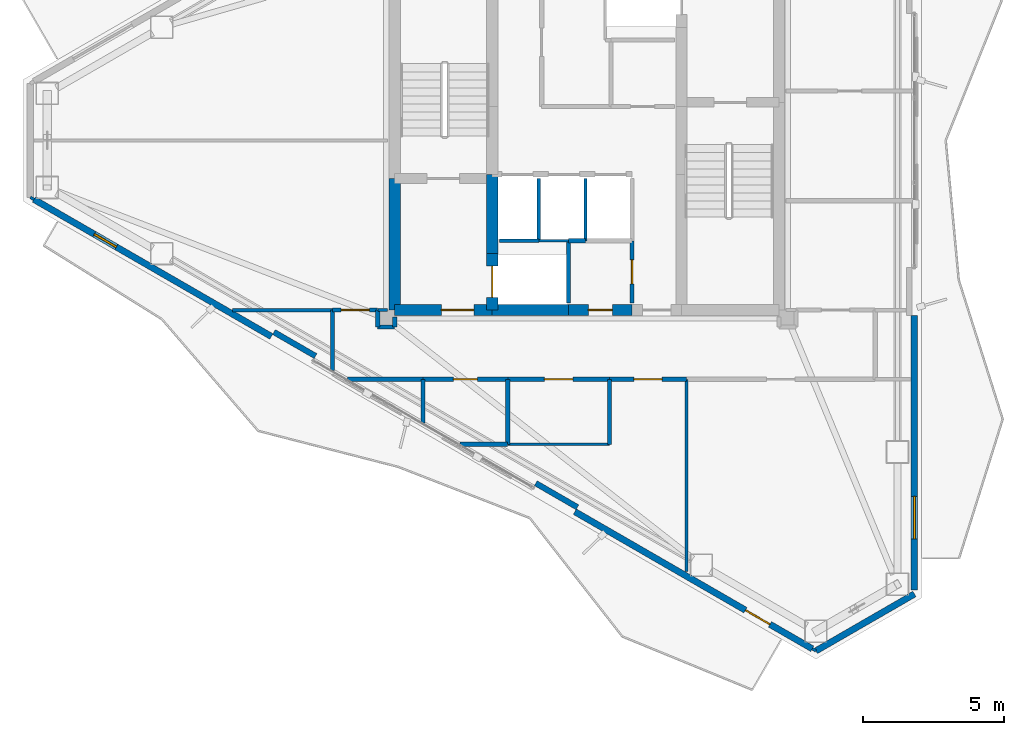
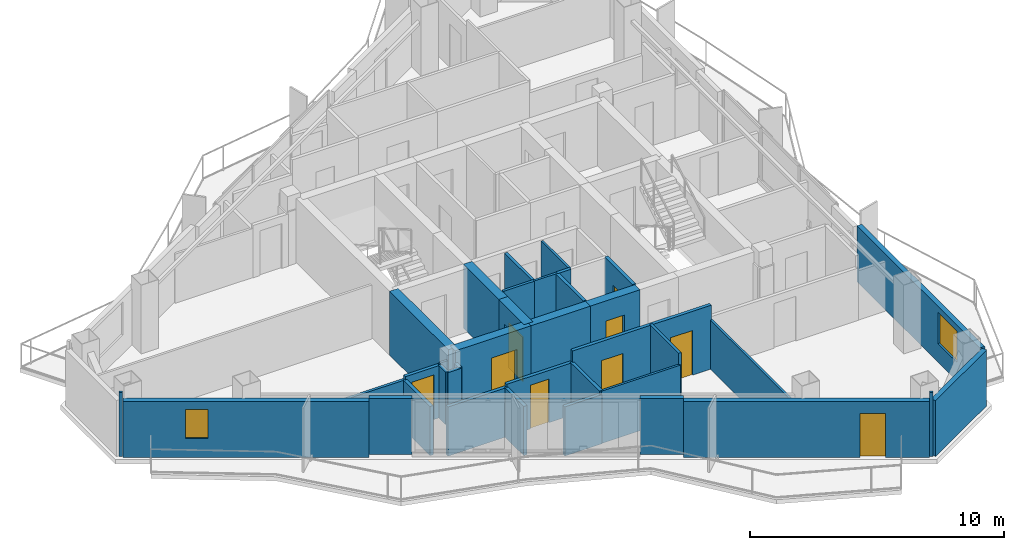
# One storey, part 16 of 21: 38 walls, 9 doors, 2 windows, 11 openings.
"""IFC4 building model written with IfcOpenShell, lengths in metres."""

import ifcopenshell
import ifcopenshell.guid

model = None  # the IFC model being written
_history = None  # IfcOwnerHistory: only IFC2X3 demands one
_inside = {}  # id of a spatial element -> (the spatial element, [elements in it])
_under = {}  # id of a project, library or spatial element -> (it, [spatial elements below it])
_declared = {}  # id of a project -> (the project, [libraries it declares])
_typed = {}  # id of a type object -> (the type object, [elements of that type])
_made_of = {}  # id of a material, layer set ... -> (it, [elements and type objects made of it])


def new_model(schema):
    """Start an empty IFC model of exactly this schema.

    Asked for "IFC4X3", IfcOpenShell would pick the latest addendum, in which some entities
    have other attributes; the version numbers below select the first issue.
    IFC2X3 requires an IfcOwnerHistory on every rooted entity: one is made here for all.
    """
    global model, _history
    if schema == "IFC4X3":
        model = ifcopenshell.file(schema_version=(4, 3, 0, 0))
    else:
        model = ifcopenshell.file(schema=schema)
    _inside.clear()
    _under.clear()
    _declared.clear()
    _typed.clear()
    _made_of.clear()
    _history = None
    if model.schema == "IFC2X3":
        org = make("IfcOrganization", Name="unknown")
        user = make(
            "IfcPersonAndOrganization",
            ThePerson=make("IfcPerson", FamilyName="unknown"),
            TheOrganization=org,
        )
        app = make(
            "IfcApplication",
            ApplicationDeveloper=org,
            Version="unknown",
            ApplicationFullName="unknown",
            ApplicationIdentifier="unknown",
        )
        _history = make(
            "IfcOwnerHistory",
            OwningUser=user,
            OwningApplication=app,
            ChangeAction="ADDED",
            CreationDate=0,
        )
    return model


def make(cls, **values):
    """One entity of the class cls with the attributes given. An attribute that is None is left unset."""
    return model.create_entity(
        cls, **{name: value for name, value in values.items() if value is not None}
    )


def rooted(cls, **values):
    """An entity with a GlobalId (a new one), such as an element, a storey or a relation."""
    return make(cls, GlobalId=ifcopenshell.guid.new(), OwnerHistory=_history, **values)


def si_unit(unit_type, name, prefix=None):
    """IfcSIUnit, for example si_unit("LENGTHUNIT", "METRE", prefix="MILLI")."""
    return make("IfcSIUnit", UnitType=unit_type, Prefix=prefix, Name=name)


def assignment(units):
    """IfcUnitAssignment: the units of a project."""
    return None if units is None else make("IfcUnitAssignment", Units=units)


def point(xyz):
    """IfcCartesianPoint."""
    return None if xyz is None else make("IfcCartesianPoint", Coordinates=xyz)


def direction(xyz):
    """IfcDirection."""
    return None if xyz is None else make("IfcDirection", DirectionRatios=xyz)


def frame(location, z_axis=None, x_axis=None):
    """IfcAxis2Placement3D, a coordinate frame: its origin and axes. An axis left out is left unset."""
    return make(
        "IfcAxis2Placement3D",
        Location=point(location),
        Axis=direction(z_axis),
        RefDirection=direction(x_axis),
    )


def frame_2d(location, x_axis=None):
    """IfcAxis2Placement2D, a coordinate frame in the plane: its origin and x axis."""
    return make(
        "IfcAxis2Placement2D", Location=point(location), RefDirection=direction(x_axis)
    )


def origin():
    """The frame at (0, 0, 0) with its axes left unset."""
    return frame((0.0, 0.0, 0.0))


def place(relative_to, where):
    """IfcLocalPlacement: puts the frame where relative to a parent placement (None: the world)."""
    return make(
        "IfcLocalPlacement", PlacementRelTo=relative_to, RelativePlacement=where
    )


def context(
    kind, dimensions, precision=None, world=None, true_north=None, identifier=None
):
    """IfcGeometricRepresentationContext, for example the 3D "Model" context."""
    return make(
        "IfcGeometricRepresentationContext",
        ContextIdentifier=identifier,
        ContextType=kind,
        CoordinateSpaceDimension=dimensions,
        Precision=precision,
        WorldCoordinateSystem=world,
        TrueNorth=true_north,
    )


def subcontext(parent, identifier, kind, view, scale=None):
    """IfcGeometricRepresentationSubContext, for example "Body" below "Model"."""
    return make(
        "IfcGeometricRepresentationSubContext",
        ContextIdentifier=identifier,
        ContextType=kind,
        ParentContext=parent,
        TargetScale=scale,
        TargetView=view,
    )


def project(units=None, contexts=None):
    """IfcProject with its units and contexts."""
    return rooted(
        "IfcProject",
        Name="project",
        RepresentationContexts=contexts,
        UnitsInContext=assignment(units),
    )


def spatial(cls, under=None, at=None, **own):
    """A site, building, storey or space (cls), placed at a placement, below another one or the project."""
    s = rooted(cls, ObjectPlacement=at, **own)
    if under is not None:
        _under.setdefault(under.id(), (under, []))[1].append(s)
    return s


def profile(cls, at=None, kind="AREA", **sizes):
    """A parametric profile (cls). Its sizes go by their IFC names, for example OverallWidth=200.0."""
    return make(cls, ProfileType=kind, Position=at, **sizes)


def rectangle(**sizes):
    """IfcRectangleProfileDef."""
    return profile("IfcRectangleProfileDef", **sizes)


def extrude(swept, where, along, depth):
    """IfcExtrudedAreaSolid: the profile swept, set in the frame where, extruded along a direction by depth."""
    return make(
        "IfcExtrudedAreaSolid",
        SweptArea=swept,
        Position=where,
        ExtrudedDirection=direction(along),
        Depth=depth,
    )


def shape(context_of_items, identifier, shape_type, items):
    """IfcShapeRepresentation: the items that make up one representation, for example the "Body"."""
    return make(
        "IfcShapeRepresentation",
        ContextOfItems=context_of_items,
        RepresentationIdentifier=identifier,
        RepresentationType=shape_type,
        Items=items,
    )


def material(Name=None, Category=None):
    """IfcMaterial."""
    return make("IfcMaterial", Name=Name, Category=Category)


def layer(
    of_material, thickness, ventilated=None, Name=None, Category=None, Priority=None
):
    """IfcMaterialLayer: one layer of a wall or slab, of a material (None: an air gap)."""
    return make(
        "IfcMaterialLayer",
        Material=of_material,
        LayerThickness=thickness,
        IsVentilated=ventilated,
        Name=Name,
        Category=Category,
        Priority=Priority,
    )


def layer_set(layers, Name=None):
    """IfcMaterialLayerSet."""
    return make("IfcMaterialLayerSet", MaterialLayers=layers, LayerSetName=Name)


def made_of(thing, what):
    """Note that an element or type object is made of a material, layer set ...; save() writes the relation."""
    if what is not None:
        _made_of.setdefault(what.id(), (what, []))[1].append(thing)
    return thing


def type_object(cls, material=None, **own):
    """A type object (cls), such as IfcWallType, which elements share."""
    return made_of(rooted(cls, **own), material)


def element(
    cls,
    number,
    at=None,
    inside=None,
    cuts=None,
    type_object=None,
    material=None,
    context=None,
    identifier="Body",
    shape_type=None,
    held_by="IfcProductDefinitionShape",
    body=None,
    shapes=None,
    **own,
):
    """One element of the class cls, such as IfcWall. Its Tag is "e" and its number.

    at: its placement. inside: the storey or other place that contains it. cuts: it is an
    opening in that element (IfcRelVoidsElement). A single representation is given by context,
    identifier, shape_type and body (its items); several are given by shapes. held_by: the class
    of the entity that holds the representations. save() writes the other relations.
    """
    e = rooted(cls, Tag="e%d" % number, ObjectPlacement=at, **own)
    if body is not None:
        shapes = [shape(context, identifier, shape_type, body)]
    if shapes is not None:
        e.Representation = make(held_by, Representations=shapes)
    if inside is not None:
        _inside.setdefault(inside.id(), (inside, []))[1].append(e)
    if cuts is not None:
        rooted(
            "IfcRelVoidsElement", RelatingBuildingElement=cuts, RelatedOpeningElement=e
        )
    if type_object is not None:
        _typed.setdefault(type_object.id(), (type_object, []))[1].append(e)
    return made_of(e, material)


def fill(opening, filler):
    """IfcRelFillsElement: the door or window that sits in an opening."""
    return rooted(
        "IfcRelFillsElement",
        RelatingOpeningElement=opening,
        RelatedBuildingElement=filler,
    )


def aggregate(whole, parts):
    """IfcRelAggregates: a whole, such as a stair, and the parts it consists of."""
    return rooted("IfcRelAggregates", RelatingObject=whole, RelatedObjects=parts)


def save(model, path):
    """Write the relations noted so far, then the file.

    IfcRelAggregates (storeys below a building ...), IfcRelContainedInSpatialStructure (elements
    in a storey), IfcRelDefinesByType, IfcRelAssociatesMaterial and IfcRelDeclares: one each for
    every whole, place, type object, material and project.
    """
    for whole, parts in _under.values():
        aggregate(whole, parts)
    for where, things in _inside.values():
        rooted(
            "IfcRelContainedInSpatialStructure",
            RelatedElements=things,
            RelatingStructure=where,
        )
    for kind, things in _typed.values():
        rooted("IfcRelDefinesByType", RelatedObjects=things, RelatingType=kind)
    for what, things in _made_of.values():
        rooted("IfcRelAssociatesMaterial", RelatedObjects=things, RelatingMaterial=what)
    for by, libraries in _declared.values():
        rooted("IfcRelDeclares", RelatingContext=by, RelatedDefinitions=libraries)
    model.write(path)


model = new_model("IFC4")

# Units and contexts
model_context = context("Model", 3, precision=1e-05, world=origin(), true_north=direction((0.0, 1.0)))
body_context = subcontext(model_context, "Body", "Model", "MODEL_VIEW")
ifc_project = project(units=[si_unit("LENGTHUNIT", "METRE"), si_unit("AREAUNIT", "SQUARE_METRE"), si_unit("VOLUMEUNIT", "CUBIC_METRE"), si_unit("PLANEANGLEUNIT", "RADIAN"), si_unit("MASSUNIT", "GRAM", prefix="KILO")], contexts=[model_context])

# Site, building, storey
site_placement = place(None, origin())
site = spatial("IfcSite", under=ifc_project, at=site_placement, CompositionType="ELEMENT")
building_placement = place(site_placement, origin())
building = spatial("IfcBuilding", under=site, at=building_placement, Name="Mersakhor Tower and Convention Hall", CompositionType="ELEMENT")
storey_placement = place(building_placement, frame((0.0, 0.0, 211.800048828125)))
storey = spatial("IfcBuildingStorey", under=building, at=storey_placement, Name="L59", CompositionType="ELEMENT", Elevation=211.800048828125)

# Wall
ifc_material_1 = material(Name="Precast concrete C40/50", Category="concrete")
ifc_layer_1 = layer(ifc_material_1, 0.22509765625)
ifc_layer_set_1 = layer_set([ifc_layer_1], Name="Precast concrete C40/50")
wall_type_1 = type_object("IfcWallType", Name="WL-EXT-225", PredefinedType="SOLIDWALL", material=ifc_layer_set_1)
wall_1_placement = place(storey_placement, frame((40.58837890625, 10.70166015625, 0.0), z_axis=(0.0, 0.0, 1.0), x_axis=(-0.866023907196, -0.500002592159, 0.0)))
element("IfcWall", 1, at=wall_1_placement, inside=storey, type_object=wall_type_1, Name="L59 Chamfer Braced Spandrel Wall C2", PredefinedType="SOLIDWALL", context=body_context, shape_type="SweptSolid", body=[
    extrude(rectangle(XDim=4.0234375, YDim=0.22509765625, at=frame_2d((2.01171875, 0.0))), origin(), (0.0, 0.0, 1.0), 2.68994140625),
])

# Wall, opening, window
wall_2_placement = place(storey_placement, frame((40.58837890625, 20.550537109375, 0.0), z_axis=(0.0, 0.0, 1.0), x_axis=(0.0, -1.0, 0.0)))
wall_2 = element("IfcWall", 2, at=wall_2_placement, inside=storey, type_object=wall_type_1, Name="L59 Exterior Facade Wall F2-B3", PredefinedType="SOLIDWALL", context=body_context, shape_type="SweptSolid", body=[
    extrude(rectangle(XDim=9.698974609375, YDim=0.22509765625, at=frame_2d((4.849609375, 0.0))), origin(), (0.0, 0.0, 1.0), 2.68994140625),
])
opening_1_placement = place(wall_2_placement, frame((6.39501953125, 0.0, 0.89990234375)))
opening_1 = element("IfcOpeningElement", 3, at=opening_1_placement, cuts=wall_2, Name="Opening W-02", PredefinedType="OPENING", context=body_context, shape_type="SweptSolid", body=[
    extrude(rectangle(XDim=1.5, YDim=1.5, at=frame_2d((0.75, 0.75))), frame((0.0, 0.12255859375, 0.0), z_axis=(0.0, -1.0, 0.0), x_axis=(1.0, 0.0, 0.0)), (0.0, 0.0, 1.0), 0.2451171875),
])
ifc_material_2 = material(Name="Dark solar low-E glazed aluminium window", Category="aluminium")
window_type_1 = type_object("IfcWindowType", Name="WN-RES-150x150", PartitioningType="SINGLE_PANEL", PredefinedType="WINDOW", material=ifc_material_2)
window_1_placement = place(opening_1_placement, origin())
window_1 = element("IfcWindow", 4, at=window_1_placement, inside=storey, type_object=window_type_1, Name="L59 Facade Punched Window F2-B3", OverallHeight=1.5, OverallWidth=1.5, PartitioningType="SINGLE_PANEL", PredefinedType="WINDOW", context=body_context, shape_type="SweptSolid", body=[
    extrude(rectangle(XDim=1.5, YDim=1.5, at=frame_2d((0.75, 0.75))), frame((0.0, 0.030029296875, 0.0), z_axis=(0.0, -1.0, 0.0), x_axis=(1.0, 0.0, 0.0)), (0.0, 0.0, 1.0), 0.06005859375),
])
fill(opening_1, window_1)

# Wall, opening, door
wall_3_placement = place(storey_placement, frame((36.97412109375, 8.764892578125, 0.0), z_axis=(0.0, 0.0, 1.0), x_axis=(-0.866016233231, 0.500015883528, 0.0)))
wall_3 = element("IfcWall", 5, at=wall_3_placement, inside=storey, type_object=wall_type_1, Name="L59 Exterior Facade Wall F3-B1", PredefinedType="SOLIDWALL", context=body_context, shape_type="SweptSolid", body=[
    extrude(rectangle(XDim=9.698974609375, YDim=0.22509765625, at=frame_2d((4.849609375, 0.0))), origin(), (0.0, 0.0, 1.0), 2.68994140625),
])
opening_2_placement = place(wall_3_placement, frame((1.72998046875, 0.0, 0.0)))
opening_2 = element("IfcOpeningElement", 6, at=opening_2_placement, cuts=wall_3, Name="Opening BD-01", PredefinedType="OPENING", context=body_context, shape_type="SweptSolid", body=[
    extrude(rectangle(XDim=1.0, YDim=2.10009765625, at=frame_2d((0.5, 1.050048828125))), frame((0.0, 0.12255859375, 0.0), z_axis=(0.0, -1.0, 0.0), x_axis=(1.0, 0.0, 0.0)), (0.0, 0.0, 1.0), 0.2451171875),
])
ifc_material_3 = material(Name="Thermally broken dark aluminium and safety glass", Category="aluminium")
door_type_1 = type_object("IfcDoorType", Name="DR-BAL-100x210", OperationType="NOTDEFINED", PredefinedType="DOOR", material=ifc_material_3)
door_1_placement = place(opening_2_placement, origin())
door_1 = element("IfcDoor", 7, at=door_1_placement, inside=storey, type_object=door_type_1, Name="L59 Balcony Terrace Door F3-B1", OperationType="SINGLE_SWING_LEFT", OverallHeight=2.10009765625, OverallWidth=1.0, PredefinedType="DOOR", context=body_context, shape_type="SweptSolid", body=[
    extrude(rectangle(XDim=1.0, YDim=2.10009765625, at=frame_2d((0.5, 1.050048828125))), frame((0.0, 0.02490234375, 0.0), z_axis=(0.0, -1.0, 0.0), x_axis=(1.0, 0.0, 0.0)), (0.0, 0.0, 1.0), 0.050048828125),
])
fill(opening_2, door_1)

# Wall, opening, window
wall_4_placement = place(storey_placement, frame((17.8369140625, 19.81396484375, 0.0), z_axis=(0.0, 0.0, 1.0), x_axis=(-0.866027133173, 0.499997004599, 0.0)))
wall_4 = element("IfcWall", 8, at=wall_4_placement, inside=storey, type_object=wall_type_1, Name="L59 Exterior Facade Wall F3-B3", PredefinedType="SOLIDWALL", context=body_context, shape_type="SweptSolid", body=[
    extrude(rectangle(XDim=9.69873046875, YDim=0.22509765625, at=frame_2d((4.849365234375, 0.0))), origin(), (0.0, 0.0, 1.0), 2.68994140625),
])
opening_3_placement = place(wall_4_placement, frame((6.3349609375, 0.0, 0.89990234375)))
opening_3 = element("IfcOpeningElement", 9, at=opening_3_placement, cuts=wall_4, Name="Opening W-06", PredefinedType="OPENING", context=body_context, shape_type="SweptSolid", body=[
    extrude(rectangle(XDim=0.89990234375, YDim=1.39990234375, at=frame_2d((0.449951171875, 0.699951171875))), frame((0.0, 0.12255859375, 0.0), z_axis=(0.0, -1.0, 0.0), x_axis=(1.0, 0.0, 0.0)), (0.0, 0.0, 1.0), 0.2451171875),
])
ifc_material_4 = material(Name="Dark solar low-E glazed aluminium window", Category="aluminium")
window_type_2 = type_object("IfcWindowType", Name="WN-STD-090x140", PartitioningType="SINGLE_PANEL", PredefinedType="WINDOW", material=ifc_material_4)
window_2_placement = place(opening_3_placement, origin())
window_2 = element("IfcWindow", 10, at=window_2_placement, inside=storey, type_object=window_type_2, Name="L59 Facade Punched Window F3-B3", OverallHeight=1.39990234375, OverallWidth=0.89990234375, PartitioningType="SINGLE_PANEL", PredefinedType="WINDOW", context=body_context, shape_type="SweptSolid", body=[
    extrude(rectangle(XDim=0.89990234375, YDim=1.39990234375, at=frame_2d((0.449951171875, 0.699951171875))), frame((0.0, 0.030029296875, 0.0), z_axis=(0.0, -1.0, 0.0), x_axis=(1.0, 0.0, 0.0)), (0.0, 0.0, 1.0), 0.06005859375),
])
fill(opening_3, window_2)

# Walls
ifc_material_5 = material(Name="Precast concrete C40/50", Category="concrete")
ifc_layer_2 = layer(ifc_material_5, 0.199951171875)
ifc_layer_set_2 = layer_set([ifc_layer_2], Name="Precast concrete C40/50")
wall_type_2 = type_object("IfcWallType", Name="WL-PAR-200", PredefinedType="PARAPET", material=ifc_layer_set_2)
wall_5_placement = place(storey_placement, frame((28.664794921875, 13.770263671875, 0.0), z_axis=(0.0, 0.0, 1.0), x_axis=(-0.866025371046, 0.500000056704, 0.0)))
element("IfcWall", 11, at=wall_5_placement, inside=storey, type_object=wall_type_2, Name="L59 Column Pier Cladding Wall F3-C1", PredefinedType="PARAPET", context=body_context, shape_type="SweptSolid", body=[
    extrude(rectangle(XDim=1.7001953125, YDim=0.199951171875, at=frame_2d((0.85009765625, 0.0))), origin(), (0.0, 0.0, 1.0), 2.68994140625),
])
wall_6_placement = place(storey_placement, frame((19.399169921875, 19.119873046875, 0.0), z_axis=(0.0, 0.0, 1.0), x_axis=(-0.86605165483, 0.499954529098, 0.0)))
element("IfcWall", 12, at=wall_6_placement, inside=storey, type_object=wall_type_2, Name="L59 Column Pier Cladding Wall F3-C2", PredefinedType="PARAPET", context=body_context, shape_type="SweptSolid", body=[
    extrude(rectangle(XDim=1.699951171875, YDim=0.199951171875, at=frame_2d((0.85009765625, 0.0))), origin(), (0.0, 0.0, 1.0), 2.68994140625),
])
ifc_material_6 = material(Name="Lightweight gypsum partition", Category="other")
ifc_layer_3 = layer(ifc_material_6, 0.10009765625)
ifc_layer_set_3 = layer_set([ifc_layer_3], Name="Lightweight gypsum partition")
wall_type_3 = type_object("IfcWallType", Name="WL-PRT-100", PredefinedType="PARTITIONING", material=ifc_layer_set_3)
wall_7_placement = place(storey_placement, frame((27.300048828125, 23.199951171875, 0.0), z_axis=(0.0, 0.0, 1.0), x_axis=(1.0, 0.0, 0.0)))
element("IfcWall", 13, at=wall_7_placement, inside=storey, type_object=wall_type_3, Name="L59 Interior Partition Wall P-002", PredefinedType="PARTITIONING", context=body_context, shape_type="SweptSolid", body=[
    extrude(rectangle(XDim=1.050048828125, YDim=0.10009765625, at=frame_2d((0.52490234375, 0.0))), origin(), (0.0, 0.0, 1.0), 3.070068359375),
])
wall_8_placement = place(storey_placement, frame((28.949951171875, 25.39990234375, 0.0), z_axis=(0.0, 0.0, 1.0), x_axis=(0.0, -1.0, 0.0)))
element("IfcWall", 14, at=wall_8_placement, inside=storey, type_object=wall_type_3, Name="L59 Interior Partition Wall P-008", PredefinedType="PARTITIONING", context=body_context, shape_type="SweptSolid", body=[
    extrude(rectangle(XDim=2.199951171875, YDim=0.10009765625, at=frame_2d((1.10009765625, 0.0))), origin(), (0.0, 0.0, 1.0), 3.070068359375),
])
wall_9_placement = place(storey_placement, frame((21.949951171875, 20.75, 0.0), z_axis=(0.0, 0.0, 1.0), x_axis=(-1.0, 0.0, 0.0)))
element("IfcWall", 15, at=wall_9_placement, inside=storey, type_object=wall_type_3, Name="L59 Interior Partition Wall P-054", PredefinedType="PARTITIONING", context=body_context, shape_type="SweptSolid", body=[
    extrude(rectangle(XDim=0.349853515625, YDim=0.10009765625, at=frame_2d((0.1748046875, 0.0))), origin(), (0.0, 0.0, 1.0), 2.594970703125),
])
wall_10_placement = place(storey_placement, frame((9.43701171875, 24.662841796875, 0.0), z_axis=(0.0, 0.0, 1.0), x_axis=(-0.865833797362, 0.500331725305, 0.0)))
element("IfcWall", 16, at=wall_10_placement, inside=storey, type_object=wall_type_3, Name="L59 Interior Partition Wall P-056", PredefinedType="PARTITIONING", context=body_context, shape_type="SweptSolid", body=[
    extrude(rectangle(XDim=0.150390625, YDim=0.10009765625, at=frame_2d((0.0751953125, 0.0))), origin(), (0.0, 0.0, 1.0), 3.070068359375),
])
wall_11_placement = place(storey_placement, frame((29.800048828125, 16.0, 0.0), z_axis=(0.0, 0.0, 1.0), x_axis=(-1.0, 0.0, 0.0)))
element("IfcWall", 17, at=wall_11_placement, inside=storey, type_object=wall_type_3, Name="L59 Interior Partition Wall P-074", PredefinedType="PARTITIONING", context=body_context, shape_type="SweptSolid", body=[
    extrude(rectangle(XDim=3.60009765625, YDim=0.10009765625, at=frame_2d((1.800048828125, 0.0))), origin(), (0.0, 0.0, 1.0), 2.518310546875),
])
wall_12_placement = place(storey_placement, frame((32.52001953125, 18.300048828125, 0.0), z_axis=(0.0, 0.0, 1.0), x_axis=(0.0, -1.0, 0.0)))
element("IfcWall", 18, at=wall_12_placement, inside=storey, type_object=wall_type_3, Name="L59 Interior Partition Wall P-076", PredefinedType="PARTITIONING", context=body_context, shape_type="SweptSolid", body=[
    extrude(rectangle(XDim=6.805908203125, YDim=0.10009765625, at=frame_2d((3.40283203125, 0.0))), origin(), (0.0, 0.0, 1.0), 2.364990234375),
])
wall_13_placement = place(storey_placement, frame((37.10400390625, 8.68994140625, 0.0), z_axis=(0.0, 0.0, 1.0), x_axis=(-0.866131372301, 0.499816412211, 0.0)))
element("IfcWall", 19, at=wall_13_placement, inside=storey, type_object=wall_type_3, Name="L59 Interior Partition Wall P-078", PredefinedType="PARTITIONING", context=body_context, shape_type="SweptSolid", body=[
    extrude(rectangle(XDim=0.14990234375, YDim=0.10009765625, at=frame_2d((0.074951171875, 0.0))), origin(), (0.0, 0.0, 1.0), 3.070068359375),
])
ifc_material_7 = material(Name="Gypsum board acoustic partition", Category="other")
ifc_layer_4 = layer(ifc_material_7, 0.125)
ifc_layer_set_4 = layer_set([ifc_layer_4], Name="Gypsum board acoustic partition")
wall_type_4 = type_object("IfcWallType", Name="WL-PRT-125", PredefinedType="PARTITIONING", material=ifc_layer_set_4)
wall_14_placement = place(storey_placement, frame((25.89990234375, 23.199951171875, 0.0), z_axis=(0.0, 0.0, 1.0), x_axis=(1.0, 0.0, 0.0)))
element("IfcWall", 20, at=wall_14_placement, inside=storey, type_object=wall_type_4, Name="L59 Interior Partition Wall P-001", PredefinedType="PARTITIONING", context=body_context, shape_type="SweptSolid", body=[
    extrude(rectangle(XDim=1.400146484375, YDim=0.125, at=frame_2d((0.7001953125, 0.0))), origin(), (0.0, 0.0, 1.0), 3.070068359375),
])
wall_15_placement = place(storey_placement, frame((27.300048828125, 25.39990234375, 0.0), z_axis=(0.0, 0.0, 1.0), x_axis=(0.0, -1.0, 0.0)))
element("IfcWall", 21, at=wall_15_placement, inside=storey, type_object=wall_type_4, Name="L59 Interior Partition Wall P-007", PredefinedType="PARTITIONING", context=body_context, shape_type="SweptSolid", body=[
    extrude(rectangle(XDim=2.199951171875, YDim=0.125, at=frame_2d((1.10009765625, 0.0))), origin(), (0.0, 0.0, 1.0), 3.070068359375),
])
wall_16_placement = place(storey_placement, frame((20.0, 20.75, 0.0), z_axis=(0.0, 0.0, 1.0), x_axis=(-1.0, 0.0, 0.0)))
element("IfcWall", 22, at=wall_16_placement, inside=storey, type_object=wall_type_4, Name="L59 Interior Partition Wall P-055", PredefinedType="PARTITIONING", context=body_context, shape_type="SweptSolid", body=[
    extrude(rectangle(XDim=3.536376953125, YDim=0.125, at=frame_2d((1.76806640625, 0.0))), origin(), (0.0, 0.0, 1.0), 2.364990234375),
])
wall_17_placement = place(storey_placement, frame((29.800048828125, 18.300048828125, 0.0), z_axis=(0.0, 0.0, 1.0), x_axis=(0.0, -1.0, 0.0)))
element("IfcWall", 23, at=wall_17_placement, inside=storey, type_object=wall_type_4, Name="L59 Interior Partition Wall P-075", PredefinedType="PARTITIONING", context=body_context, shape_type="SweptSolid", body=[
    extrude(rectangle(XDim=2.300048828125, YDim=0.125, at=frame_2d((1.14990234375, 0.0))), origin(), (0.0, 0.0, 1.0), 3.070068359375),
])
ifc_material_8 = material(Name="Fire-rated gypsum board stud partition", Category="other")
ifc_layer_5 = layer(ifc_material_8, 0.14990234375)
ifc_layer_set_5 = layer_set([ifc_layer_5], Name="Fire-rated gypsum board stud partition")
wall_type_5 = type_object("IfcWallType", Name="WL-PRT-150", PredefinedType="PARTITIONING", material=ifc_layer_set_5)
wall_18_placement = place(storey_placement, frame((28.35009765625, 23.199951171875, 0.0), z_axis=(0.0, 0.0, 1.0), x_axis=(0.0, -1.0, 0.0)))
element("IfcWall", 24, at=wall_18_placement, inside=storey, type_object=wall_type_5, Name="L59 Interior Partition Wall P-003", PredefinedType="PARTITIONING", context=body_context, shape_type="SweptSolid", body=[
    extrude(rectangle(XDim=2.199951171875, YDim=0.14990234375, at=frame_2d((1.10009765625, 0.0))), origin(), (0.0, 0.0, 1.0), 3.070068359375),
])
wall_19_placement = place(storey_placement, frame((28.949951171875, 23.199951171875, 0.0), z_axis=(0.0, 0.0, 1.0), x_axis=(-1.0, 0.0, 0.0)))
element("IfcWall", 25, at=wall_19_placement, inside=storey, type_object=wall_type_5, Name="L59 Interior Partition Wall P-009", PredefinedType="PARTITIONING", context=body_context, shape_type="SweptSolid", body=[
    extrude(rectangle(XDim=0.599853515625, YDim=0.14990234375, at=frame_2d((0.2998046875, 0.0))), origin(), (0.0, 0.0, 1.0), 3.070068359375),
])

# Wall, opening, door
wall_20_placement = place(storey_placement, frame((30.60009765625, 21.0, 0.0), z_axis=(0.0, 0.0, 1.0), x_axis=(0.0, 1.0, 0.0)))
wall_20 = element("IfcWall", 26, at=wall_20_placement, inside=storey, type_object=wall_type_5, Name="L59 Interior Partition Wall P-012", PredefinedType="PARTITIONING", context=body_context, shape_type="SweptSolid", body=[
    extrude(rectangle(XDim=2.199951171875, YDim=0.14990234375, at=frame_2d((1.10009765625, 0.0))), origin(), (0.0, 0.0, 1.0), 3.070068359375),
])
opening_4_placement = place(wall_20_placement, frame((0.675048828125, 0.0, 0.0)))
opening_4 = element("IfcOpeningElement", 27, at=opening_4_placement, cuts=wall_20, Name="Opening SVD-01", PredefinedType="OPENING", context=body_context, shape_type="SweptSolid", body=[
    extrude(rectangle(XDim=0.85009765625, YDim=2.10009765625, at=frame_2d((0.425048828125, 1.050048828125))), frame((0.0, 0.0849609375, 0.0), z_axis=(0.0, -1.0, 0.0), x_axis=(1.0, 0.0, 0.0)), (0.0, 0.0, 1.0), 0.169921875),
])
ifc_material_9 = material(Name="Fire-rated hardwood leaf and painted steel frame", Category="steel")
door_type_2 = type_object("IfcDoorType", Name="DR-INT-SVC-085x210", OperationType="NOTDEFINED", PredefinedType="DOOR", material=ifc_material_9)
door_2_placement = place(opening_4_placement, origin())
door_2 = element("IfcDoor", 28, at=door_2_placement, inside=storey, type_object=door_type_2, Name="L59 Central Passenger Lift Lobby to Electrical Switchroom Door", OperationType="SINGLE_SWING_LEFT", OverallHeight=2.10009765625, OverallWidth=0.85009765625, PredefinedType="DOOR", context=body_context, shape_type="SweptSolid", body=[
    extrude(rectangle(XDim=0.85009765625, YDim=2.10009765625, at=frame_2d((0.425048828125, 1.050048828125))), frame((0.0, 0.02490234375, 0.0), z_axis=(0.0, -1.0, 0.0), x_axis=(1.0, 0.0, 0.0)), (0.0, 0.0, 1.0), 0.050048828125),
])
fill(opening_4, door_2)

wall_21_placement = place(storey_placement, frame((20.0, 20.75, 0.0), z_axis=(0.0, 0.0, 1.0), x_axis=(1.0, 0.0, 0.0)))
wall_21 = element("IfcWall", 29, at=wall_21_placement, inside=storey, type_object=wall_type_5, Name="L59 Interior Partition Wall P-031", PredefinedType="PARTITIONING", context=body_context, shape_type="SweptSolid", body=[
    extrude(rectangle(XDim=1.60009765625, YDim=0.14990234375, at=frame_2d((0.800048828125, 0.0))), origin(), (0.0, 0.0, 1.0), 2.518310546875),
])
opening_5_placement = place(wall_21_placement, frame((0.300048828125, 0.0, 0.0)))
opening_5 = element("IfcOpeningElement", 30, at=opening_5_placement, cuts=wall_21, Name="Opening FD-01", PredefinedType="OPENING", context=body_context, shape_type="SweptSolid", body=[
    extrude(rectangle(XDim=1.0, YDim=2.14990234375, at=frame_2d((0.5, 1.074951171875))), frame((0.0, 0.0849609375, 0.0), z_axis=(0.0, -1.0, 0.0), x_axis=(1.0, 0.0, 0.0)), (0.0, 0.0, 1.0), 0.169921875),
])
ifc_material_10 = material(Name="Fire-rated hardwood leaf and painted steel frame", Category="steel")
door_type_3 = type_object("IfcDoorType", Name="DR-INT-FLT-100x215", OperationType="NOTDEFINED", PredefinedType="DOOR", material=ifc_material_10)
door_3_placement = place(opening_5_placement, origin())
door_3 = element("IfcDoor", 31, at=door_3_placement, inside=storey, type_object=door_type_3, Name="L59 Residential South Gallery Corridor to L59 West Wing Quiet Focus Room Door", OperationType="SINGLE_SWING_LEFT", OverallHeight=2.14990234375, OverallWidth=1.0, PredefinedType="DOOR", context=body_context, shape_type="SweptSolid", body=[
    extrude(rectangle(XDim=1.0, YDim=2.14990234375, at=frame_2d((0.5, 1.074951171875))), frame((0.0, 0.02490234375, 0.0), z_axis=(0.0, -1.0, 0.0), x_axis=(1.0, 0.0, 0.0)), (0.0, 0.0, 1.0), 0.050048828125),
])
fill(opening_5, door_3)

# Walls
wall_22_placement = place(storey_placement, frame((21.60009765625, 20.75, 0.0), z_axis=(0.0, 0.0, 1.0), x_axis=(0.0, -1.0, 0.0)))
element("IfcWall", 32, at=wall_22_placement, inside=storey, type_object=wall_type_5, Name="L59 Interior Partition Wall P-032", PredefinedType="PARTITIONING", context=body_context, shape_type="SweptSolid", body=[
    extrude(rectangle(XDim=0.60009765625, YDim=0.14990234375, at=frame_2d((0.300048828125, 0.0))), origin(), (0.0, 0.0, 1.0), 2.518310546875),
])
wall_23_placement = place(storey_placement, frame((21.60009765625, 20.14990234375, 0.0), z_axis=(0.0, 0.0, 1.0), x_axis=(1.0, 0.0, 0.0)))
element("IfcWall", 33, at=wall_23_placement, inside=storey, type_object=wall_type_5, Name="L59 Interior Partition Wall P-033", PredefinedType="PARTITIONING", context=body_context, shape_type="SweptSolid", body=[
    extrude(rectangle(XDim=0.599853515625, YDim=0.14990234375, at=frame_2d((0.2998046875, 0.0))), origin(), (0.0, 0.0, 1.0), 2.518310546875),
])
wall_24_placement = place(storey_placement, frame((22.199951171875, 20.14990234375, 0.0), z_axis=(0.0, 0.0, 1.0), x_axis=(0.0, 1.0, 0.0)))
element("IfcWall", 34, at=wall_24_placement, inside=storey, type_object=wall_type_5, Name="L59 Interior Partition Wall P-034", PredefinedType="PARTITIONING", context=body_context, shape_type="SweptSolid", body=[
    extrude(rectangle(XDim=0.35009765625, YDim=0.14990234375, at=frame_2d((0.175048828125, 0.0))), origin(), (0.0, 0.0, 1.0), 2.518310546875),
])

# Wall, opening, door
wall_25_placement = place(storey_placement, frame((32.52001953125, 18.300048828125, 0.0), z_axis=(0.0, 0.0, 1.0), x_axis=(-1.0, 0.0, 0.0)))
wall_25 = element("IfcWall", 35, at=wall_25_placement, inside=storey, type_object=wall_type_5, Name="L59 Interior Partition Wall P-041", PredefinedType="PARTITIONING", context=body_context, shape_type="SweptSolid", body=[
    extrude(rectangle(XDim=2.719970703125, YDim=0.14990234375, at=frame_2d((1.35986328125, 0.0))), origin(), (0.0, 0.0, 1.0), 3.070068359375),
])
opening_6_placement = place(wall_25_placement, frame((0.860107421875, 0.0, 0.0)))
opening_6 = element("IfcOpeningElement", 36, at=opening_6_placement, cuts=wall_25, Name="Opening FD-01", PredefinedType="OPENING", context=body_context, shape_type="SweptSolid", body=[
    extrude(rectangle(XDim=1.0, YDim=2.14990234375, at=frame_2d((0.5, 1.074951171875))), frame((0.0, 0.0849609375, 0.0), z_axis=(0.0, -1.0, 0.0), x_axis=(1.0, 0.0, 0.0)), (0.0, 0.0, 1.0), 0.169921875),
])
door_4_placement = place(opening_6_placement, origin())
door_4 = element("IfcDoor", 37, at=door_4_placement, inside=storey, type_object=door_type_3, Name="L59 Residential South Gallery Corridor to L59 Floor Residents Study Room 2-3 Door", OperationType="SINGLE_SWING_LEFT", OverallHeight=2.14990234375, OverallWidth=1.0, PredefinedType="DOOR", context=body_context, shape_type="SweptSolid", body=[
    extrude(rectangle(XDim=1.0, YDim=2.14990234375, at=frame_2d((0.5, 1.074951171875))), frame((0.0, 0.02490234375, 0.0), z_axis=(0.0, -1.0, 0.0), x_axis=(1.0, 0.0, 0.0)), (0.0, 0.0, 1.0), 0.050048828125),
])
fill(opening_6, door_4)

wall_26_placement = place(storey_placement, frame((29.800048828125, 18.300048828125, 0.0), z_axis=(0.0, 0.0, 1.0), x_axis=(-1.0, 0.0, 0.0)))
wall_26 = element("IfcWall", 38, at=wall_26_placement, inside=storey, type_object=wall_type_5, Name="L59 Interior Partition Wall P-042", PredefinedType="PARTITIONING", context=body_context, shape_type="SweptSolid", body=[
    extrude(rectangle(XDim=3.60009765625, YDim=0.14990234375, at=frame_2d((1.800048828125, 0.0))), origin(), (0.0, 0.0, 1.0), 3.070068359375),
])
opening_7_placement = place(wall_26_placement, frame((1.300048828125, 0.0, 0.0)))
opening_7 = element("IfcOpeningElement", 39, at=opening_7_placement, cuts=wall_26, Name="Opening FD-01", PredefinedType="OPENING", context=body_context, shape_type="SweptSolid", body=[
    extrude(rectangle(XDim=1.0, YDim=2.14990234375, at=frame_2d((0.5, 1.074951171875))), frame((0.0, 0.0849609375, 0.0), z_axis=(0.0, -1.0, 0.0), x_axis=(1.0, 0.0, 0.0)), (0.0, 0.0, 1.0), 0.169921875),
])
door_5_placement = place(opening_7_placement, origin())
door_5 = element("IfcDoor", 40, at=door_5_placement, inside=storey, type_object=door_type_3, Name="L59 Residential South Gallery Corridor to L59 Floor Shared Tea Pantry 2-2 Door", OperationType="SINGLE_SWING_RIGHT", OverallHeight=2.14990234375, OverallWidth=1.0, PredefinedType="DOOR", context=body_context, shape_type="SweptSolid", body=[
    extrude(rectangle(XDim=1.0, YDim=2.14990234375, at=frame_2d((0.5, 1.074951171875))), frame((0.0, 0.02490234375, 0.0), z_axis=(0.0, -1.0, 0.0), x_axis=(1.0, 0.0, 0.0)), (0.0, 0.0, 1.0), 0.050048828125),
])
fill(opening_7, door_5)

wall_27_placement = place(storey_placement, frame((26.199951171875, 18.300048828125, 0.0), z_axis=(0.0, 0.0, 1.0), x_axis=(-1.0, 0.0, 0.0)))
wall_27 = element("IfcWall", 41, at=wall_27_placement, inside=storey, type_object=wall_type_5, Name="L59 Interior Partition Wall P-043", PredefinedType="PARTITIONING", context=body_context, shape_type="SweptSolid", body=[
    extrude(rectangle(XDim=3.0, YDim=0.14990234375, at=frame_2d((1.5, 0.0))), origin(), (0.0, 0.0, 1.0), 2.518310546875),
])
opening_8_placement = place(wall_27_placement, frame((1.074951171875, 0.0, 0.0)))
opening_8 = element("IfcOpeningElement", 42, at=opening_8_placement, cuts=wall_27, Name="Opening SVD-01", PredefinedType="OPENING", context=body_context, shape_type="SweptSolid", body=[
    extrude(rectangle(XDim=0.85009765625, YDim=2.10009765625, at=frame_2d((0.425048828125, 1.050048828125))), frame((0.0, 0.0849609375, 0.0), z_axis=(0.0, -1.0, 0.0), x_axis=(1.0, 0.0, 0.0)), (0.0, 0.0, 1.0), 0.169921875),
])
door_6_placement = place(opening_8_placement, origin())
door_6 = element("IfcDoor", 43, at=door_6_placement, inside=storey, type_object=door_type_2, Name="L59 Residential South Gallery Corridor to L59 Floor Household Store Room 2-1 Door", OperationType="SINGLE_SWING_LEFT", OverallHeight=2.10009765625, OverallWidth=0.85009765625, PredefinedType="DOOR", context=body_context, shape_type="SweptSolid", body=[
    extrude(rectangle(XDim=0.85009765625, YDim=2.10009765625, at=frame_2d((0.425048828125, 1.050048828125))), frame((0.0, 0.02490234375, 0.0), z_axis=(0.0, -1.0, 0.0), x_axis=(1.0, 0.0, 0.0)), (0.0, 0.0, 1.0), 0.050048828125),
])
fill(opening_8, door_6)

# Walls
wall_28_placement = place(storey_placement, frame((23.199951171875, 18.300048828125, 0.0), z_axis=(0.0, 0.0, 1.0), x_axis=(-1.0, 0.0, 0.0)))
element("IfcWall", 44, at=wall_28_placement, inside=storey, type_object=wall_type_5, Name="L59 Interior Partition Wall P-044", PredefinedType="PARTITIONING", context=body_context, shape_type="SweptSolid", body=[
    extrude(rectangle(XDim=2.671630859375, YDim=0.14990234375, at=frame_2d((1.3359375, 0.0))), origin(), (0.0, 0.0, 1.0), 2.364990234375),
])
wall_29_placement = place(storey_placement, frame((20.0, 18.60888671875, 0.0), z_axis=(0.0, 0.0, 1.0), x_axis=(0.0, 1.0, 0.0)))
element("IfcWall", 45, at=wall_29_placement, inside=storey, type_object=wall_type_5, Name="L59 Interior Partition Wall P-045", PredefinedType="PARTITIONING", context=body_context, shape_type="SweptSolid", body=[
    extrude(rectangle(XDim=2.14111328125, YDim=0.14990234375, at=frame_2d((1.070556640625, 0.0))), origin(), (0.0, 0.0, 1.0), 2.364990234375),
])
wall_30_placement = place(storey_placement, frame((26.199951171875, 18.300048828125, 0.0), z_axis=(0.0, 0.0, 1.0), x_axis=(0.0, -1.0, 0.0)))
element("IfcWall", 46, at=wall_30_placement, inside=storey, type_object=wall_type_5, Name="L59 Interior Partition Wall P-071", PredefinedType="PARTITIONING", context=body_context, shape_type="SweptSolid", body=[
    extrude(rectangle(XDim=2.300048828125, YDim=0.14990234375, at=frame_2d((1.14990234375, 0.0))), origin(), (0.0, 0.0, 1.0), 2.518310546875),
])
wall_31_placement = place(storey_placement, frame((26.199951171875, 16.0, 0.0), z_axis=(0.0, 0.0, 1.0), x_axis=(-1.0, 0.0, 0.0)))
element("IfcWall", 47, at=wall_31_placement, inside=storey, type_object=wall_type_5, Name="L59 Interior Partition Wall P-072", PredefinedType="PARTITIONING", context=body_context, shape_type="SweptSolid", body=[
    extrude(rectangle(XDim=1.688232421875, YDim=0.14990234375, at=frame_2d((0.84423828125, 0.0))), origin(), (0.0, 0.0, 1.0), 2.364990234375),
])
wall_32_placement = place(storey_placement, frame((23.199951171875, 16.761474609375, 0.0), z_axis=(0.0, 0.0, 1.0), x_axis=(0.0, 1.0, 0.0)))
element("IfcWall", 48, at=wall_32_placement, inside=storey, type_object=wall_type_5, Name="L59 Interior Partition Wall P-073", PredefinedType="PARTITIONING", context=body_context, shape_type="SweptSolid", body=[
    extrude(rectangle(XDim=1.53857421875, YDim=0.14990234375, at=frame_2d((0.769287109375, 0.0))), origin(), (0.0, 0.0, 1.0), 2.364990234375),
])
ifc_material_11 = material(Name="Concrete C60/75", Category="concrete")
ifc_layer_6 = layer(ifc_material_11, 0.39990234375)
ifc_layer_set_6 = layer_set([ifc_layer_6], Name="Concrete C60/75")
wall_type_6 = type_object("IfcWallType", Name="WL-SHR-400", PredefinedType="SHEAR", material=ifc_layer_set_6)
wall_33_placement = place(storey_placement, frame((22.199951171875, 20.75, 0.0), z_axis=(0.0, 0.0, 1.0), x_axis=(0.0, 1.0, 0.0)))
element("IfcWall", 49, at=wall_33_placement, inside=storey, type_object=wall_type_6, Name="L59 Core Wall CW-W1", PredefinedType="SHEAR", context=body_context, shape_type="SweptSolid", body=[
    extrude(rectangle(XDim=4.64990234375, YDim=0.39990234375, at=frame_2d((2.324951171875, 0.0))), origin(), (0.0, 0.0, 1.0), 3.070068359375),
])

# Wall, opening, door
wall_34_placement = place(storey_placement, frame((30.60009765625, 20.75, 0.0), z_axis=(0.0, 0.0, 1.0), x_axis=(-1.0, 0.0, 0.0)))
wall_34 = element("IfcWall", 50, at=wall_34_placement, inside=storey, type_object=wall_type_6, Name="L59 Core Wall CW-S2B", PredefinedType="SHEAR", context=body_context, shape_type="SweptSolid", body=[
    extrude(rectangle(XDim=2.25, YDim=0.39990234375, at=frame_2d((1.125, 0.0))), origin(), (0.0, 0.0, 1.0), 3.070068359375),
])
opening_9_placement = place(wall_34_placement, frame((0.699951171875, 0.0, 0.0)))
opening_9 = element("IfcOpeningElement", 51, at=opening_9_placement, cuts=wall_34, Name="Opening SVD-01", PredefinedType="OPENING", context=body_context, shape_type="SweptSolid", body=[
    extrude(rectangle(XDim=0.85009765625, YDim=2.10009765625, at=frame_2d((0.425048828125, 1.050048828125))), frame((0.0, 0.2099609375, 0.0), z_axis=(0.0, -1.0, 0.0), x_axis=(1.0, 0.0, 0.0)), (0.0, 0.0, 1.0), 0.419921875),
])
door_7_placement = place(opening_9_placement, origin())
door_7 = element("IfcDoor", 52, at=door_7_placement, inside=storey, type_object=door_type_2, Name="L59 Residential South Gallery Corridor to Electrical Switchroom Door", OperationType="SINGLE_SWING_RIGHT", OverallHeight=2.10009765625, OverallWidth=0.85009765625, PredefinedType="DOOR", context=body_context, shape_type="SweptSolid", body=[
    extrude(rectangle(XDim=0.85009765625, YDim=2.10009765625, at=frame_2d((0.425048828125, 1.050048828125))), frame((0.0, 0.02490234375, 0.0), z_axis=(0.0, -1.0, 0.0), x_axis=(1.0, 0.0, 0.0)), (0.0, 0.0, 1.0), 0.050048828125),
])
fill(opening_9, door_7)

# Wall
wall_35_placement = place(storey_placement, frame((28.35009765625, 20.75, 0.0), z_axis=(0.0, 0.0, 1.0), x_axis=(-1.0, 0.0, 0.0)))
element("IfcWall", 53, at=wall_35_placement, inside=storey, type_object=wall_type_6, Name="L59 Core Wall CW-S3", PredefinedType="SHEAR", context=body_context, shape_type="SweptSolid", body=[
    extrude(rectangle(XDim=2.7001953125, YDim=0.39990234375, at=frame_2d((1.35009765625, 0.0))), origin(), (0.0, 0.0, 1.0), 3.070068359375),
])

# Wall, opening, door
wall_36_placement = place(storey_placement, frame((25.64990234375, 20.75, 0.0), z_axis=(0.0, 0.0, 1.0), x_axis=(-1.0, 0.0, 0.0)))
wall_36 = element("IfcWall", 54, at=wall_36_placement, inside=storey, type_object=wall_type_6, Name="L59 Core Wall CW-S4", PredefinedType="SHEAR", context=body_context, shape_type="SweptSolid", body=[
    extrude(rectangle(XDim=3.449951171875, YDim=0.39990234375, at=frame_2d((1.72509765625, 0.0))), origin(), (0.0, 0.0, 1.0), 3.070068359375),
])
opening_10_placement = place(wall_36_placement, frame((0.64990234375, 0.0, 0.0)))
opening_10 = element("IfcOpeningElement", 55, at=opening_10_placement, cuts=wall_36, Name="Opening SD-01", PredefinedType="OPENING", context=body_context, shape_type="SweptSolid", body=[
    extrude(rectangle(XDim=1.14990234375, YDim=2.14990234375, at=frame_2d((0.574951171875, 1.074951171875))), frame((0.0, 0.2099609375, 0.0), z_axis=(0.0, -1.0, 0.0), x_axis=(1.0, 0.0, 0.0)), (0.0, 0.0, 1.0), 0.419921875),
])
ifc_material_12 = material(Name="Fire-rated hardwood leaf and painted steel frame", Category="steel")
door_type_4 = type_object("IfcDoorType", Name="DR-INT-STAIR-115x215", OperationType="NOTDEFINED", PredefinedType="DOOR", material=ifc_material_12)
door_8_placement = place(opening_10_placement, origin())
door_8 = element("IfcDoor", 56, at=door_8_placement, inside=storey, type_object=door_type_4, Name="L59 Firefighting Lobby West Fire Door", OperationType="SINGLE_SWING_LEFT", OverallHeight=2.14990234375, OverallWidth=1.14990234375, PredefinedType="DOOR", context=body_context, shape_type="SweptSolid", body=[
    extrude(rectangle(XDim=1.14990234375, YDim=2.14990234375, at=frame_2d((0.574951171875, 1.074951171875))), frame((0.0, 0.02490234375, 0.0), z_axis=(0.0, -1.0, 0.0), x_axis=(1.0, 0.0, 0.0)), (0.0, 0.0, 1.0), 0.050048828125),
])
fill(opening_10, door_8)

wall_37_placement = place(storey_placement, frame((25.64990234375, 20.75, 0.0), z_axis=(0.0, 0.0, 1.0), x_axis=(0.0, 1.0, 0.0)))
wall_37 = element("IfcWall", 57, at=wall_37_placement, inside=storey, type_object=wall_type_6, Name="L59 Core Wall CS-W-FFL", PredefinedType="SHEAR", context=body_context, shape_type="SweptSolid", body=[
    extrude(rectangle(XDim=2.0, YDim=0.39990234375, at=frame_2d((1.0, 0.0))), origin(), (0.0, 0.0, 1.0), 3.070068359375),
])
opening_11_placement = place(wall_37_placement, frame((0.449951171875, 0.0, 0.0)))
opening_11 = element("IfcOpeningElement", 58, at=opening_11_placement, cuts=wall_37, Name="Opening LD-FFL1", PredefinedType="OPENING", context=body_context, shape_type="SweptSolid", body=[
    extrude(rectangle(XDim=1.10009765625, YDim=2.14990234375, at=frame_2d((0.550048828125, 1.074951171875))), frame((0.0, 0.2099609375, 0.0), z_axis=(0.0, -1.0, 0.0), x_axis=(1.0, 0.0, 0.0)), (0.0, 0.0, 1.0), 0.419921875),
])
ifc_material_13 = material(Name="Fire-rated brushed stainless steel sliding landing door", Category="steel")
door_type_5 = type_object("IfcDoorType", Name="DR-LIFT-SLD-110x215", OperationType="NOTDEFINED", PredefinedType="DOOR", material=ifc_material_13)
door_9_placement = place(opening_11_placement, origin())
door_9 = element("IfcDoor", 59, at=door_9_placement, inside=storey, type_object=door_type_5, Name="L59 Firefighting Lift Landing Door LD-FFL1", OperationType="SLIDING_TO_LEFT", OverallHeight=2.14990234375, OverallWidth=1.10009765625, PredefinedType="DOOR", context=body_context, shape_type="SweptSolid", body=[
    extrude(rectangle(XDim=1.10009765625, YDim=2.14990234375, at=frame_2d((0.550048828125, 1.074951171875))), frame((0.0, 0.02490234375, 0.0), z_axis=(0.0, -1.0, 0.0), x_axis=(1.0, 0.0, 0.0)), (0.0, 0.0, 1.0), 0.050048828125),
])
fill(opening_11, door_9)

# Wall
wall_38_placement = place(storey_placement, frame((25.64990234375, 22.75, 0.0), z_axis=(0.0, 0.0, 1.0), x_axis=(0.0, 1.0, 0.0)))
element("IfcWall", 60, at=wall_38_placement, inside=storey, type_object=wall_type_6, Name="L59 Core Wall CS-W-MID", PredefinedType="SHEAR", context=body_context, shape_type="SweptSolid", body=[
    extrude(rectangle(XDim=2.800048828125, YDim=0.39990234375, at=frame_2d((1.39990234375, 0.0))), origin(), (0.0, 0.0, 1.0), 3.070068359375),
])

save(model, "model.ifc")
